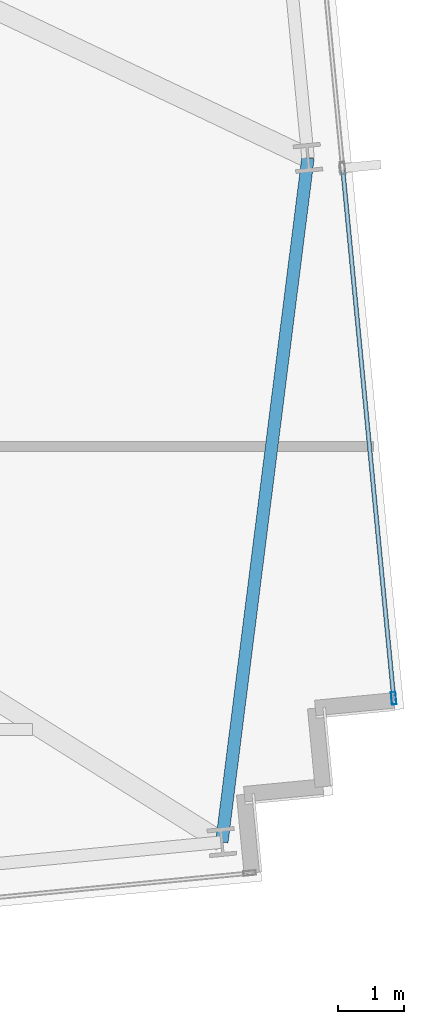
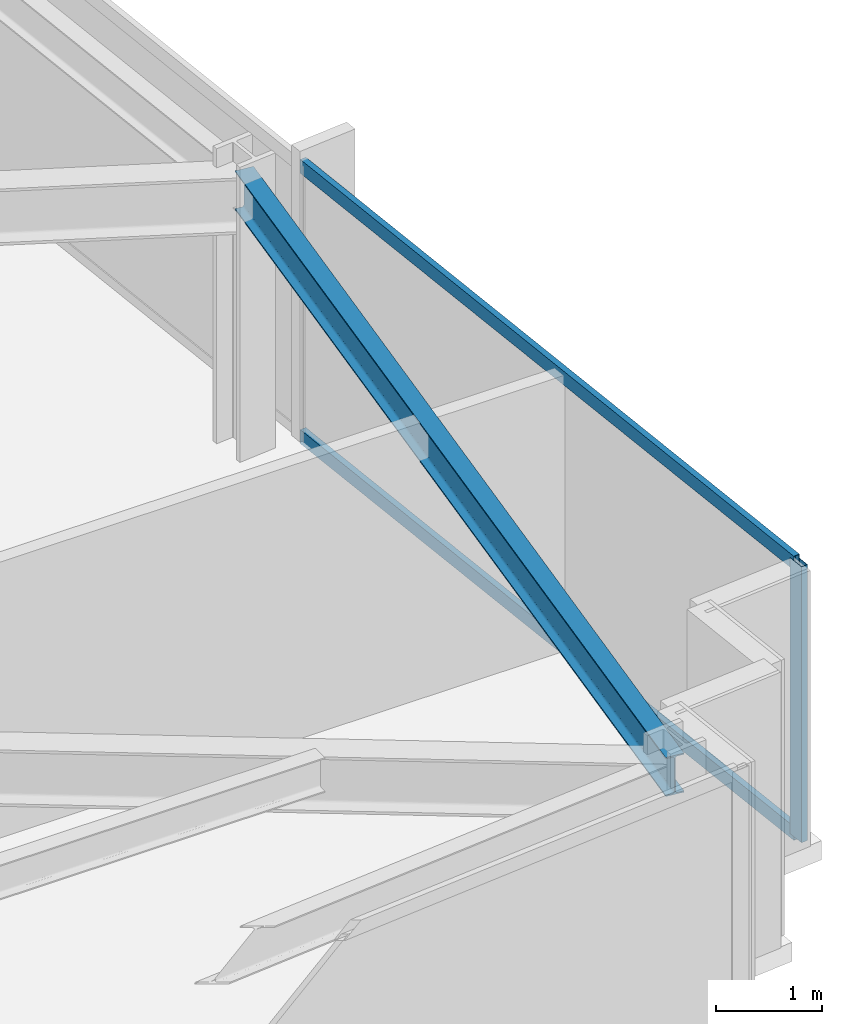
# One storey, part 14 of 33: 3 members, 1 beam, 1 element without a shape of its own.
"""IFC4 building model written with IfcOpenShell, lengths in metres."""

from ifc_helpers import new_model, si_unit, direction, frame, origin, origin_2d, place, context, subcontext, project, spatial, hollow_rectangle, i_section, extrude, material, material_profile, profile_set, type_object, element, aggregate, save


model = new_model("IFC4")

# Units and contexts
model_context = context("Model", 3, precision=1e-05, world=origin(), true_north=direction((0.0, 1.0)))
body_context = subcontext(model_context, "Body", "Model", "MODEL_VIEW")
ifc_project = project(units=[si_unit("LENGTHUNIT", "METRE"), si_unit("AREAUNIT", "SQUARE_METRE"), si_unit("VOLUMEUNIT", "CUBIC_METRE"), si_unit("PLANEANGLEUNIT", "RADIAN"), si_unit("MASSUNIT", "GRAM", prefix="KILO")], contexts=[model_context])

# Site, building, storey
site_placement = place(None, origin())
site = spatial("IfcSite", under=ifc_project, at=site_placement, CompositionType="ELEMENT")
building_placement = place(site_placement, origin())
building = spatial("IfcBuilding", under=site, at=building_placement, Name="Yelkora Congress Tower", CompositionType="ELEMENT")
storey_placement = place(building_placement, frame((0.0, 0.0, 127.10009765625)))
storey = spatial("IfcBuildingStorey", under=building, at=storey_placement, Name="L34", CompositionType="ELEMENT", Elevation=127.10009765625)

# Beam
ifc_material_1 = material(Name="Steel S355J2", Category="steel")
ifc_material_profile_1 = material_profile(ifc_material_1, i_section(OverallWidth=0.18994140625, OverallDepth=0.449951171875, WebThickness=0.009521484375, FlangeThickness=0.0146484375, FilletRadius=0.02099609375, at=origin_2d()), Name="IPE 450")
ifc_profile_set_1 = profile_set([ifc_material_profile_1], Name="Steel S355J2")
beam_type = type_object("IfcBeamType", Name="BM-SPAN-IPE450", PredefinedType="SPANDREL", material=ifc_profile_set_1)
beam_placement = place(storey_placement, frame((74.73193359375, 14.43505859375, 2.954833984375), z_axis=(0.124929198684, 0.99216565921, 0.0), x_axis=(-0.99216565921, 0.124929198684, 0.0)))
element("IfcBeam", 1, at=beam_placement, inside=storey, type_object=beam_type, Name="L34 Perimeter Beam 10", PredefinedType="SPANDREL", context=body_context, shape_type="SweptSolid", body=[
    extrude(i_section(OverallWidth=0.18994140625, OverallDepth=0.449951171875, WebThickness=0.009521484375, FlangeThickness=0.0146484375, FilletRadius=0.02099609375, at=origin_2d()), origin(), (0.0, 0.0, 1.0), 10.48046875),
])

# Curtain wall, members
ifc_material_2 = material(Name="Anodised aluminium and insulated glass", Category="aluminium")
curtain_wall_type = type_object("IfcCurtainWallType", Name="CW-SYS-B2", PredefinedType="NOTDEFINED", material=ifc_material_2)
curtain_wall_placement = place(storey_placement, origin())
curtain_wall = element("IfcCurtainWall", 2, at=curtain_wall_placement, inside=storey, type_object=curtain_wall_type, Name="L34 Unitised Curtain Wall 15", PredefinedType="NOTDEFINED")
ifc_material_3 = material(Name="Anodised aluminium 6063-T6", Category="aluminium")
ifc_material_profile_2 = material_profile(ifc_material_3, hollow_rectangle(XDim=0.070068359375, YDim=0.18994140625, WallThickness=0.00390625, at=origin_2d()), Name="ALU 70x190x4")
ifc_profile_set_2 = profile_set([ifc_material_profile_2], Name="Anodised aluminium 6063-T6")
member_type_1 = type_object("IfcMemberType", Name="MEM-ML-B2", PredefinedType="MULLION", material=ifc_profile_set_2)
member_1_placement = place(storey_placement, frame((77.34423828125, 16.62060546875, 0.0), z_axis=(0.0, 0.0, 1.0), x_axis=(0.995396507508, 0.095842541913, 0.0)))
member_1 = element("IfcMember", 3, at=member_1_placement, type_object=member_type_1, Name="CW-B2 mullion 5", PredefinedType="MULLION", context=body_context, shape_type="SweptSolid", body=[
    extrude(hollow_rectangle(XDim=0.070068359375, YDim=0.18994140625, WallThickness=0.00390625, at=origin_2d()), origin(), (0.0, 0.0, 1.0), 3.179931640625),
])
ifc_material_profile_3 = material_profile(ifc_material_3, hollow_rectangle(XDim=0.06494140625, YDim=0.159912109375, WallThickness=0.00390625, at=origin_2d()), Name="ALU 65x160x4")
ifc_profile_set_3 = profile_set([ifc_material_profile_3], Name="Anodised aluminium 6063-T6")
member_type_2 = type_object("IfcMemberType", Name="MEM-TR-B2", PredefinedType="USERDEFINED", material=ifc_profile_set_3)
member_2_placement = place(storey_placement, frame((76.57177734375, 24.6435546875, 0.032470703125), z_axis=(0.095858482834, -0.995394972495, 0.0), x_axis=(0.995394972495, 0.095858482834, 0.0)))
member_2 = element("IfcMember", 4, at=member_2_placement, type_object=member_type_2, Name="CW-B2 transom 4.1", ObjectType="TRANSOM", PredefinedType="USERDEFINED", context=body_context, shape_type="SweptSolid", body=[
    extrude(hollow_rectangle(XDim=0.06494140625, YDim=0.159912109375, WallThickness=0.00390625, at=origin_2d()), origin(), (0.0, 0.0, 1.0), 8.025146484375),
])
member_3_placement = place(storey_placement, frame((76.57177734375, 24.6435546875, 3.1474609375), z_axis=(0.095858482834, -0.995394972495, 0.0), x_axis=(0.995394972495, 0.095858482834, 0.0)))
member_3 = element("IfcMember", 5, at=member_3_placement, type_object=member_type_2, Name="CW-B2 transom 4.2", ObjectType="TRANSOM", PredefinedType="USERDEFINED", context=body_context, shape_type="SweptSolid", body=[
    extrude(hollow_rectangle(XDim=0.06494140625, YDim=0.159912109375, WallThickness=0.00390625, at=origin_2d()), origin(), (0.0, 0.0, 1.0), 8.025146484375),
])
aggregate(curtain_wall, [member_1, member_2, member_3])

save(model, "model.ifc")
